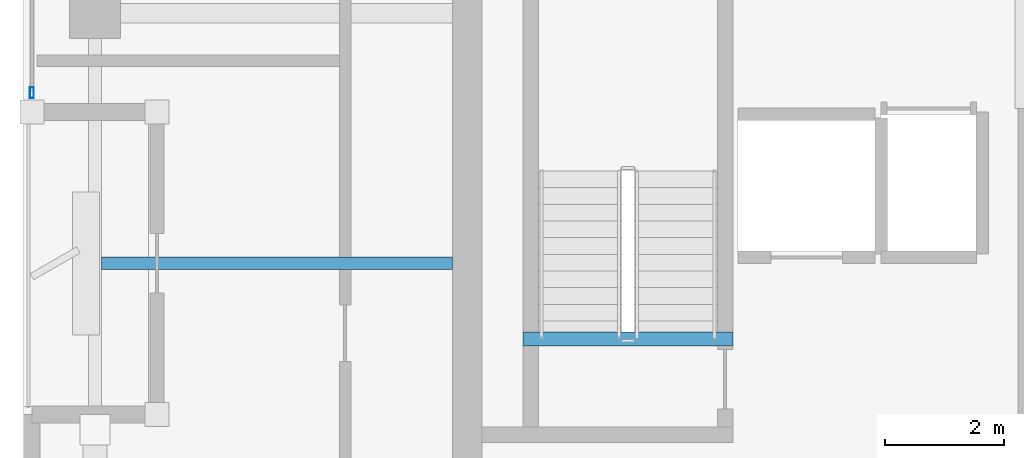
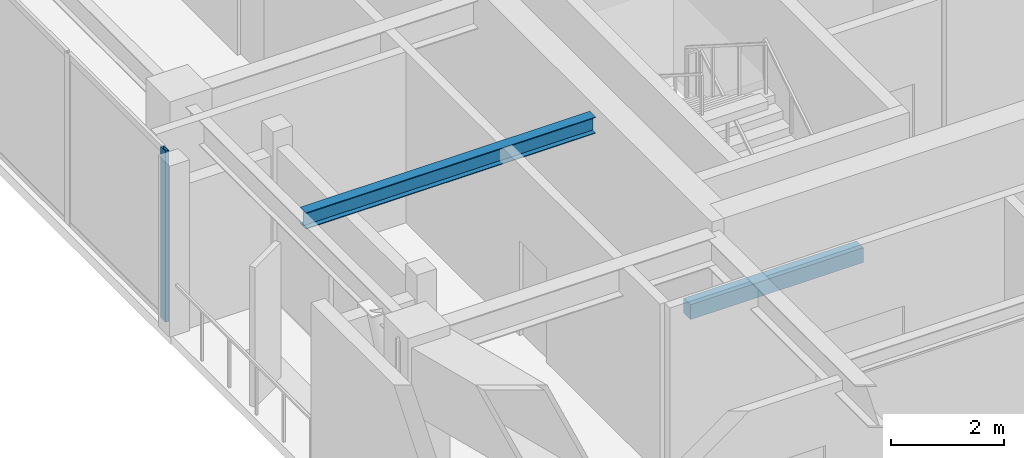
# One storey, part 2 of 16: 2 beams, 1 member, 1 element without a shape of its own.
"""IFC4 building model written with IfcOpenShell, lengths in metres."""

from ifc_helpers import new_model, si_unit, direction, frame, origin, origin_2d, place, context, subcontext, project, spatial, rectangle, hollow_rectangle, i_section, extrude, material, layer, layer_set, material_profile, profile_set, type_object, element, aggregate, save


model = new_model("IFC4")

# Units and contexts
model_context = context("Model", 3, precision=1e-05, world=origin(), true_north=direction((0.0, 1.0)))
body_context = subcontext(model_context, "Body", "Model", "MODEL_VIEW")
ifc_project = project(units=[si_unit("LENGTHUNIT", "METRE"), si_unit("AREAUNIT", "SQUARE_METRE"), si_unit("VOLUMEUNIT", "CUBIC_METRE"), si_unit("PLANEANGLEUNIT", "RADIAN"), si_unit("MASSUNIT", "GRAM", prefix="KILO")], contexts=[model_context])

# Site, building, storey
site_placement = place(None, origin())
site = spatial("IfcSite", under=ifc_project, at=site_placement, CompositionType="ELEMENT")
building_placement = place(site_placement, origin())
building = spatial("IfcBuilding", under=site, at=building_placement, Name="Kiyonajd Concourse Tower", CompositionType="ELEMENT")
storey_placement = place(building_placement, frame((0.0, 0.0, 325.800048828125)))
storey = spatial("IfcBuildingStorey", under=building, at=storey_placement, Name="L82", CompositionType="ELEMENT", Elevation=325.800048828125)

# Beams
ifc_material_1 = material(Name="Steel ASTM A992 Grade 50", Category="steel")
ifc_material_profile_1 = material_profile(ifc_material_1, i_section(OverallWidth=0.205078125, OverallDepth=0.35400390625, WebThickness=0.009521484375, FlangeThickness=0.016845703125, at=origin_2d()), Name="W360X79")
ifc_profile_set_1 = profile_set([ifc_material_profile_1], Name="Steel ASTM A992 Grade 50")
beam_type_1 = type_object("IfcBeamType", Name="BM-JST-360", PredefinedType="JOIST", material=ifc_profile_set_1)
beam_1_placement = place(storey_placement, frame((26.505615234375, 31.800048828125, 3.5029296875), z_axis=(1.0, 0.0, 0.0), x_axis=(0.0, 1.0, 0.0)))
element("IfcBeam", 1, at=beam_1_placement, inside=storey, type_object=beam_type_1, Name="L82 West Secondary Floor Joist", PredefinedType="JOIST", context=body_context, shape_type="SweptSolid", body=[
    extrude(i_section(OverallWidth=0.205078125, OverallDepth=0.35400390625, WebThickness=0.009521484375, FlangeThickness=0.016845703125, at=origin_2d()), origin(), (0.0, 0.0, 1.0), 5.894287109375),
])
ifc_material_2 = material(Name="Concrete C50/60", Category="concrete")
ifc_material_profile_2 = material_profile(ifc_material_2, rectangle(XDim=0.239990234375, YDim=0.320068359375, at=origin_2d()), Name="RCBM-240x320")
ifc_profile_set_2 = profile_set([ifc_material_profile_2], Name="Concrete C50/60")
beam_type_2 = type_object("IfcBeamType", Name="BM-LNT-250", PredefinedType="LINTEL", material=ifc_profile_set_2)
beam_2_placement = place(storey_placement, frame((33.590087890625, 30.530029296875, -0.16015625), z_axis=(1.0, 0.0, 0.0), x_axis=(0.0, 1.0, 0.0)))
element("IfcBeam", 2, at=beam_2_placement, inside=storey, type_object=beam_type_2, Name="L82 Stair ST1 Threshold Support Beam", PredefinedType="LINTEL", context=body_context, shape_type="SweptSolid", body=[
    extrude(rectangle(XDim=0.239990234375, YDim=0.320068359375, at=origin_2d()), origin(), (0.0, 0.0, 1.0), 3.52001953125),
])

# Curtain wall, member
ifc_material_3 = material(Name="Thermally Broken Anodised Aluminium", Category="aluminium")
ifc_layer = layer(ifc_material_3, 0.179931640625)
ifc_layer_set = layer_set([ifc_layer], Name="Thermally Broken Anodised Aluminium")
curtain_wall_type = type_object("IfcCurtainWallType", Name="CW-SYS-04", PredefinedType="NOTDEFINED", material=ifc_layer_set)
curtain_wall_placement = place(storey_placement, origin())
curtain_wall = element("IfcCurtainWall", 3, at=curtain_wall_placement, inside=storey, type_object=curtain_wall_type, Name="L82 Unitised Curtain Wall CW4", PredefinedType="NOTDEFINED")
ifc_material_profile_3 = material_profile(ifc_material_3, hollow_rectangle(XDim=0.06494140625, YDim=0.179931640625, WallThickness=0.00390625, at=origin_2d()), Name="MULL-65x180")
ifc_profile_set_3 = profile_set([ifc_material_profile_3], Name="Thermally Broken Anodised Aluminium")
member_type = type_object("IfcMemberType", Name="MB-CW-MULL1", PredefinedType="MULLION", material=ifc_profile_set_3)
member_placement = place(storey_placement, frame((25.340087890625, 34.66259765625, 0.0), z_axis=(0.0, 0.0, 1.0), x_axis=(-1.0, 0.0, 0.0)))
member = element("IfcMember", 4, at=member_placement, type_object=member_type, Name="CW4 mullion 1", PredefinedType="MULLION", context=body_context, shape_type="SweptSolid", body=[
    extrude(hollow_rectangle(XDim=0.06494140625, YDim=0.179931640625, WallThickness=0.00390625, at=origin_2d()), origin(), (0.0, 0.0, 1.0), 3.679931640625),
])
aggregate(curtain_wall, [member])

save(model, "model.ifc")
